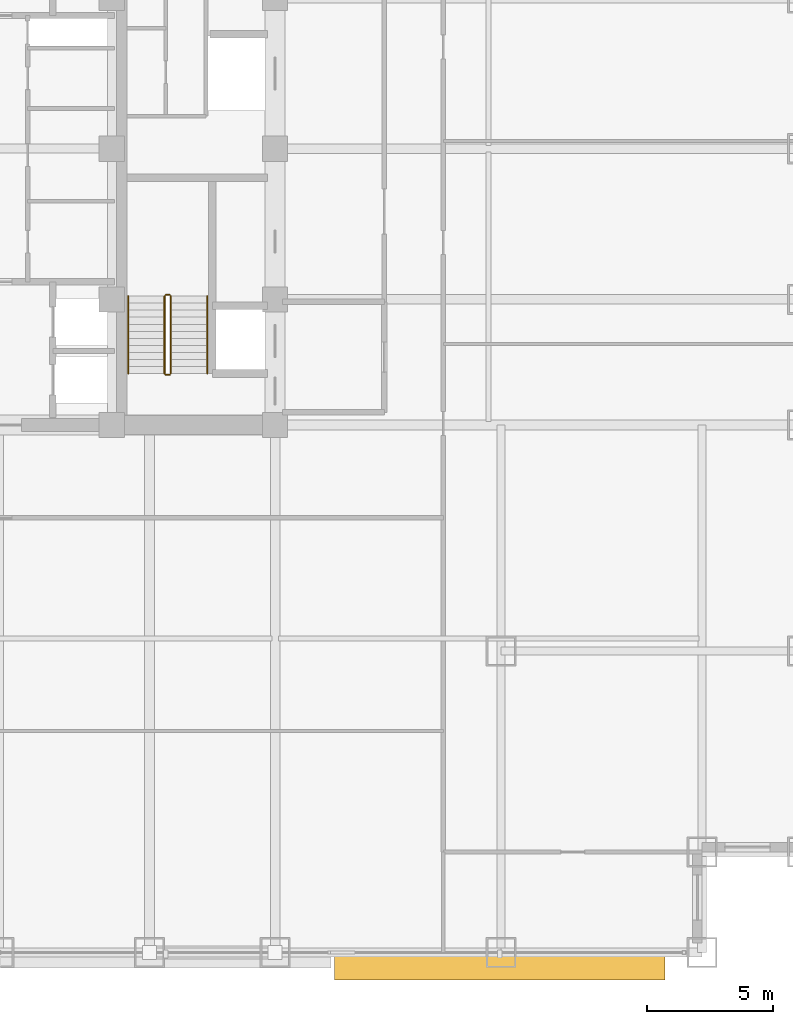
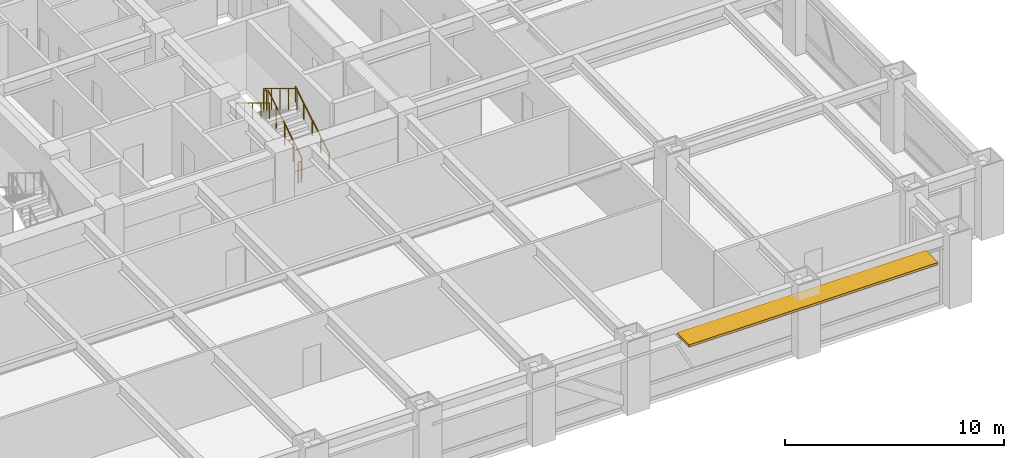
# One storey, part 30 of 32: 6 railings, 1 shading device.
"""IFC4 building model written with IfcOpenShell, lengths in metres."""

from ifc_helpers import new_model, si_unit, direction, frame, origin, origin_2d, place, context, subcontext, project, spatial, rectangle, circle, extrude, source, transform, mapped, material, layer, layer_set, type_object, element, save


model = new_model("IFC4")

# Units and contexts
model_context = context("Model", 3, precision=1e-05, world=origin(), true_north=direction((0.0, 1.0)))
body_context = subcontext(model_context, "Body", "Model", "MODEL_VIEW")
ifc_project = project(units=[si_unit("LENGTHUNIT", "METRE"), si_unit("AREAUNIT", "SQUARE_METRE"), si_unit("VOLUMEUNIT", "CUBIC_METRE"), si_unit("PLANEANGLEUNIT", "RADIAN"), si_unit("MASSUNIT", "GRAM", prefix="KILO")], contexts=[model_context])

# Site, building, storey
site_placement = place(None, origin())
site = spatial("IfcSite", under=ifc_project, at=site_placement, CompositionType="ELEMENT")
building_placement = place(site_placement, origin())
building = spatial("IfcBuilding", under=site, at=building_placement, Name="Khorayat Bourse Tower", CompositionType="ELEMENT")
storey_placement = place(building_placement, frame((0.0, 0.0, 91.39990234375)))
storey = spatial("IfcBuildingStorey", under=building, at=storey_placement, Name="L20", CompositionType="ELEMENT", Elevation=91.39990234375)

# Shading device
ifc_material_1 = material(Name="Precast concrete C45/55", Category="concrete")
ifc_layer = layer(ifc_material_1, 0.139892578125)
ifc_layer_set = layer_set([ifc_layer], Name="Precast concrete C45/55")
shading_device_type = type_object("IfcShadingDeviceType", Name="SHD-WAVE-TRAY-B", PredefinedType="USERDEFINED", material=ifc_layer_set)
shared_shape_1 = source(origin(), body_context, "Body", "SweptSolid", [
    extrude(rectangle(XDim=13.159912109375, YDim=1.115478515625, at=origin_2d()), origin(), (0.0, 0.0, 1.0), 0.139892578125),
])
shading_device_placement = place(storey_placement, frame((19.949951171875, -32.53759765625, 3.09033203125), z_axis=(0.0, 0.0, 1.0), x_axis=(1.0, 0.0, 0.0)))
element("IfcShadingDevice", 1, at=shading_device_placement, inside=storey, type_object=shading_device_type, Name="L20 Sinusoidal Wave Sunshade Tray S-4", ObjectType="SUNSHADE", PredefinedType="USERDEFINED", context=body_context, shape_type="MappedRepresentation", body=[
    mapped(shared_shape_1, transform((0.0, 0.0, 0.0), scale=1.0)),
])

# Railings
ifc_material_2 = material(Name="Powder-coated steel balustrade", Category="steel")
railing_type_1 = type_object("IfcRailingType", Name="RLG-GUARD-1200", PredefinedType="GUARDRAIL", material=ifc_material_2)
shared_shape_2 = source(origin(), body_context, "Body", "SweptSolid", [
    extrude(circle(Radius=0.02392578125, at=origin_2d()), frame((0.0, 0.0, 1.17578125), z_axis=(-1.0, 0.0, 0.0), x_axis=(0.0, -1.0, 0.0)), (0.0, 0.0, 1.0), 0.150146484375),
    extrude(circle(Radius=0.02099609375, at=origin_2d()), origin(), (0.0, 0.0, 1.0), 1.15185546875),
    extrude(circle(Radius=0.02099609375, at=origin_2d()), frame((-0.150146484375, 0.0, 0.0)), (0.0, 0.0, 1.0), 1.15185546875),
])
for number, where, name in (
    (2, (6.800048828125, -5.820068359375, 2.050048828125), "L20 ST-3 stair guard 2"),
    (3, (6.800048828125, -9.0, 0.0), "L20 ST-3 stair guard 4"),
):
    element("IfcRailing", number, at=place(storey_placement, frame(where)), inside=storey, type_object=railing_type_1, Name=name, PredefinedType="GUARDRAIL", context=body_context, shape_type="MappedRepresentation", body=[
        mapped(shared_shape_2, transform((0.0, 0.0, 0.0), scale=1.0)),
    ])
shared_shape_3 = source(origin(), body_context, "Body", "SweptSolid", [
    extrude(circle(Radius=0.02392578125, at=origin_2d()), frame((0.0, 0.0, 1.17578125), z_axis=(0.0, 0.853647949592, 0.520850437417), x_axis=(-1.0, 0.0, 0.0)), (0.0, 0.0, 1.0), 3.60791015625),
    extrude(circle(Radius=0.02099609375, at=origin_2d()), origin(), (0.0, 0.0, 1.0), 1.15185546875),
    extrude(circle(Radius=0.02099609375, at=origin_2d()), frame((0.0, 0.77001953125, 0.4697265625)), (0.0, 0.0, 1.0), 1.15185546875),
    extrude(circle(Radius=0.02099609375, at=origin_2d()), frame((0.0, 1.5400390625, 0.939453125)), (0.0, 0.0, 1.0), 1.15185546875),
    extrude(circle(Radius=0.02099609375, at=origin_2d()), frame((0.0, 2.309814453125, 1.409423828125)), (0.0, 0.0, 1.0), 1.15185546875),
    extrude(circle(Radius=0.02099609375, at=origin_2d()), frame((0.0, 3.079833984375, 1.879150390625)), (0.0, 0.0, 1.0), 1.15185546875),
])
railing_1_placement = place(storey_placement, frame((6.85009765625, -8.949951171875, 0.1708984375)))
element("IfcRailing", 4, at=railing_1_placement, inside=storey, type_object=railing_type_1, Name="L20 ST-3 stair guard 1", PredefinedType="GUARDRAIL", context=body_context, shape_type="MappedRepresentation", body=[
    mapped(shared_shape_3, transform((0.0, 0.0, 0.0), scale=1.0)),
])
shared_shape_4 = source(origin(), body_context, "Body", "SweptSolid", [
    extrude(circle(Radius=0.02392578125, at=origin_2d()), frame((0.0, 0.0, 1.17578125), z_axis=(0.0, -0.853647949592, 0.520850437417), x_axis=(1.0, 0.0, 0.0)), (0.0, 0.0, 1.0), 3.60791015625),
    extrude(circle(Radius=0.02099609375, at=origin_2d()), origin(), (0.0, 0.0, 1.0), 1.15185546875),
    extrude(circle(Radius=0.02099609375, at=origin_2d()), frame((0.0, -0.77001953125, 0.4697265625)), (0.0, 0.0, 1.0), 1.15185546875),
    extrude(circle(Radius=0.02099609375, at=origin_2d()), frame((0.0, -1.5400390625, 0.939453125)), (0.0, 0.0, 1.0), 1.15185546875),
    extrude(circle(Radius=0.02099609375, at=origin_2d()), frame((0.0, -2.309814453125, 1.409423828125)), (0.0, 0.0, 1.0), 1.15185546875),
    extrude(circle(Radius=0.02099609375, at=origin_2d()), frame((0.0, -3.079833984375, 1.879150390625)), (0.0, 0.0, 1.0), 1.15185546875),
])
railing_2_placement = place(storey_placement, frame((6.60009765625, -5.8701171875, 2.220947265625)))
element("IfcRailing", 5, at=railing_2_placement, inside=storey, type_object=railing_type_1, Name="L20 ST-3 stair guard 3", PredefinedType="GUARDRAIL", context=body_context, shape_type="MappedRepresentation", body=[
    mapped(shared_shape_4, transform((0.0, 0.0, 0.0), scale=1.0)),
])
ifc_material_3 = material(Name="Brushed bronze stainless-steel handrail", Category="steel")
railing_type_2 = type_object("IfcRailingType", Name="RLG-HAND-900", PredefinedType="HANDRAIL", material=ifc_material_3)
shared_shape_5 = source(origin(), body_context, "Body", "SweptSolid", [
    extrude(circle(Radius=0.02392578125, at=origin_2d()), frame((0.0, 0.0, 0.8759765625), z_axis=(0.0, 0.853647949592, 0.520850437417), x_axis=(-1.0, 0.0, 0.0)), (0.0, 0.0, 1.0), 3.60791015625),
    extrude(circle(Radius=0.02099609375, at=origin_2d()), origin(), (0.0, 0.0, 1.0), 0.851806640625),
    extrude(circle(Radius=0.02099609375, at=origin_2d()), frame((0.0, 0.77001953125, 0.4697265625)), (0.0, 0.0, 1.0), 0.851806640625),
    extrude(circle(Radius=0.02099609375, at=origin_2d()), frame((0.0, 1.5400390625, 0.939453125)), (0.0, 0.0, 1.0), 0.851806640625),
    extrude(circle(Radius=0.02099609375, at=origin_2d()), frame((0.0, 2.309814453125, 1.409423828125)), (0.0, 0.0, 1.0), 0.851806640625),
    extrude(circle(Radius=0.02099609375, at=origin_2d()), frame((0.0, 3.079833984375, 1.879150390625)), (0.0, 0.0, 1.0), 0.851806640625),
])
railing_3_placement = place(storey_placement, frame((8.300048828125, -8.949951171875, 0.1708984375)))
element("IfcRailing", 6, at=railing_3_placement, inside=storey, type_object=railing_type_2, Name="L20 ST-3 stair handrail 1", PredefinedType="HANDRAIL", context=body_context, shape_type="MappedRepresentation", body=[
    mapped(shared_shape_5, transform((0.0, 0.0, 0.0), scale=1.0)),
])
shared_shape_6 = source(origin(), body_context, "Body", "SweptSolid", [
    extrude(circle(Radius=0.02392578125, at=origin_2d()), frame((0.0, 0.0, 0.8759765625), z_axis=(0.0, -0.853647949592, 0.520850437417), x_axis=(1.0, 0.0, 0.0)), (0.0, 0.0, 1.0), 3.60791015625),
    extrude(circle(Radius=0.02099609375, at=origin_2d()), origin(), (0.0, 0.0, 1.0), 0.851806640625),
    extrude(circle(Radius=0.02099609375, at=origin_2d()), frame((0.0, -0.77001953125, 0.4697265625)), (0.0, 0.0, 1.0), 0.851806640625),
    extrude(circle(Radius=0.02099609375, at=origin_2d()), frame((0.0, -1.5400390625, 0.939453125)), (0.0, 0.0, 1.0), 0.851806640625),
    extrude(circle(Radius=0.02099609375, at=origin_2d()), frame((0.0, -2.309814453125, 1.409423828125)), (0.0, 0.0, 1.0), 0.851806640625),
    extrude(circle(Radius=0.02099609375, at=origin_2d()), frame((0.0, -3.079833984375, 1.879150390625)), (0.0, 0.0, 1.0), 0.851806640625),
])
railing_4_placement = place(storey_placement, frame((5.14990234375, -5.8701171875, 2.220947265625)))
element("IfcRailing", 7, at=railing_4_placement, inside=storey, type_object=railing_type_2, Name="L20 ST-3 stair handrail 2", PredefinedType="HANDRAIL", context=body_context, shape_type="MappedRepresentation", body=[
    mapped(shared_shape_6, transform((0.0, 0.0, 0.0), scale=1.0)),
])

save(model, "model.ifc")
